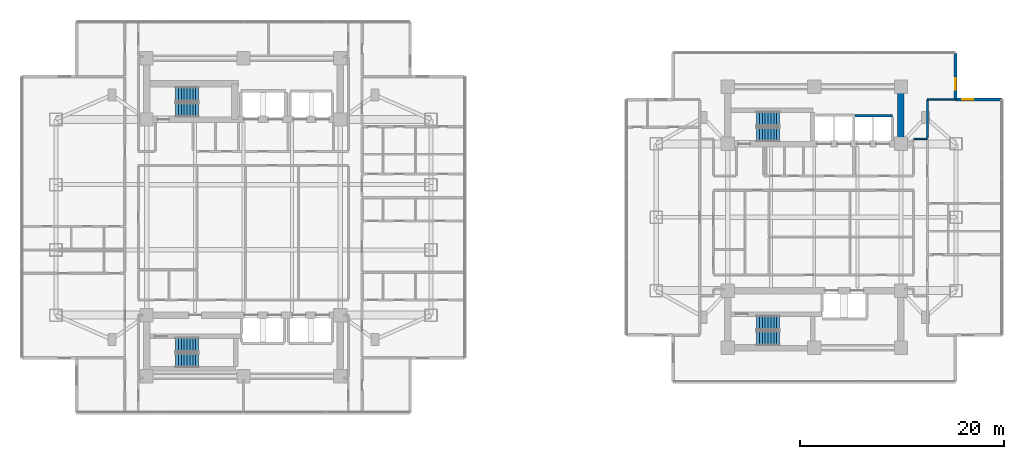
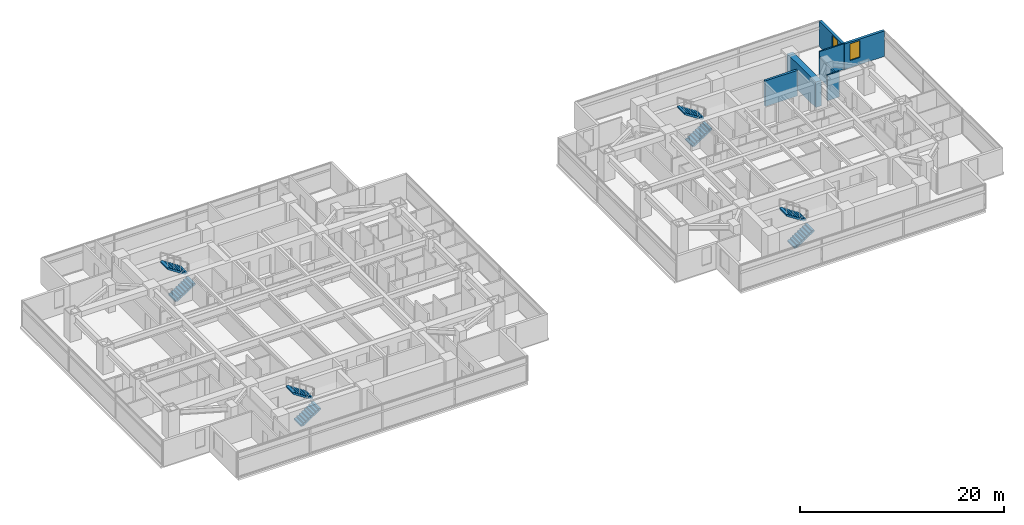
# One storey, part 19 of 24: 8 stair flights, 7 walls, 2 windows, 2 openings, 4 elements without a shape of their own.
"""IFC4 building model written with IfcOpenShell, lengths in metres."""

import ifcopenshell
import ifcopenshell.guid

model = None  # the IFC model being written
_history = None  # IfcOwnerHistory: only IFC2X3 demands one
_inside = {}  # id of a spatial element -> (the spatial element, [elements in it])
_under = {}  # id of a project, library or spatial element -> (it, [spatial elements below it])
_declared = {}  # id of a project -> (the project, [libraries it declares])
_typed = {}  # id of a type object -> (the type object, [elements of that type])
_made_of = {}  # id of a material, layer set ... -> (it, [elements and type objects made of it])


def new_model(schema):
    """Start an empty IFC model of exactly this schema.

    Asked for "IFC4X3", IfcOpenShell would pick the latest addendum, in which some entities
    have other attributes; the version numbers below select the first issue.
    IFC2X3 requires an IfcOwnerHistory on every rooted entity: one is made here for all.
    """
    global model, _history
    if schema == "IFC4X3":
        model = ifcopenshell.file(schema_version=(4, 3, 0, 0))
    else:
        model = ifcopenshell.file(schema=schema)
    _inside.clear()
    _under.clear()
    _declared.clear()
    _typed.clear()
    _made_of.clear()
    _history = None
    if model.schema == "IFC2X3":
        org = make("IfcOrganization", Name="unknown")
        user = make(
            "IfcPersonAndOrganization",
            ThePerson=make("IfcPerson", FamilyName="unknown"),
            TheOrganization=org,
        )
        app = make(
            "IfcApplication",
            ApplicationDeveloper=org,
            Version="unknown",
            ApplicationFullName="unknown",
            ApplicationIdentifier="unknown",
        )
        _history = make(
            "IfcOwnerHistory",
            OwningUser=user,
            OwningApplication=app,
            ChangeAction="ADDED",
            CreationDate=0,
        )
    return model


def make(cls, **values):
    """One entity of the class cls with the attributes given. An attribute that is None is left unset."""
    return model.create_entity(
        cls, **{name: value for name, value in values.items() if value is not None}
    )


def rooted(cls, **values):
    """An entity with a GlobalId (a new one), such as an element, a storey or a relation."""
    return make(cls, GlobalId=ifcopenshell.guid.new(), OwnerHistory=_history, **values)


def si_unit(unit_type, name, prefix=None):
    """IfcSIUnit, for example si_unit("LENGTHUNIT", "METRE", prefix="MILLI")."""
    return make("IfcSIUnit", UnitType=unit_type, Prefix=prefix, Name=name)


def assignment(units):
    """IfcUnitAssignment: the units of a project."""
    return None if units is None else make("IfcUnitAssignment", Units=units)


def point(xyz):
    """IfcCartesianPoint."""
    return None if xyz is None else make("IfcCartesianPoint", Coordinates=xyz)


def direction(xyz):
    """IfcDirection."""
    return None if xyz is None else make("IfcDirection", DirectionRatios=xyz)


def frame(location, z_axis=None, x_axis=None):
    """IfcAxis2Placement3D, a coordinate frame: its origin and axes. An axis left out is left unset."""
    return make(
        "IfcAxis2Placement3D",
        Location=point(location),
        Axis=direction(z_axis),
        RefDirection=direction(x_axis),
    )


def frame_2d(location, x_axis=None):
    """IfcAxis2Placement2D, a coordinate frame in the plane: its origin and x axis."""
    return make(
        "IfcAxis2Placement2D", Location=point(location), RefDirection=direction(x_axis)
    )


def origin():
    """The frame at (0, 0, 0) with its axes left unset."""
    return frame((0.0, 0.0, 0.0))


def place(relative_to, where):
    """IfcLocalPlacement: puts the frame where relative to a parent placement (None: the world)."""
    return make(
        "IfcLocalPlacement", PlacementRelTo=relative_to, RelativePlacement=where
    )


def context(
    kind, dimensions, precision=None, world=None, true_north=None, identifier=None
):
    """IfcGeometricRepresentationContext, for example the 3D "Model" context."""
    return make(
        "IfcGeometricRepresentationContext",
        ContextIdentifier=identifier,
        ContextType=kind,
        CoordinateSpaceDimension=dimensions,
        Precision=precision,
        WorldCoordinateSystem=world,
        TrueNorth=true_north,
    )


def subcontext(parent, identifier, kind, view, scale=None):
    """IfcGeometricRepresentationSubContext, for example "Body" below "Model"."""
    return make(
        "IfcGeometricRepresentationSubContext",
        ContextIdentifier=identifier,
        ContextType=kind,
        ParentContext=parent,
        TargetScale=scale,
        TargetView=view,
    )


def project(units=None, contexts=None):
    """IfcProject with its units and contexts."""
    return rooted(
        "IfcProject",
        Name="project",
        RepresentationContexts=contexts,
        UnitsInContext=assignment(units),
    )


def spatial(cls, under=None, at=None, **own):
    """A site, building, storey or space (cls), placed at a placement, below another one or the project."""
    s = rooted(cls, ObjectPlacement=at, **own)
    if under is not None:
        _under.setdefault(under.id(), (under, []))[1].append(s)
    return s


def polyline(points):
    """IfcPolyline through the points."""
    return make("IfcPolyline", Points=[point(p) for p in points])


def profile(cls, at=None, kind="AREA", **sizes):
    """A parametric profile (cls). Its sizes go by their IFC names, for example OverallWidth=200.0."""
    return make(cls, ProfileType=kind, Position=at, **sizes)


def rectangle(**sizes):
    """IfcRectangleProfileDef."""
    return profile("IfcRectangleProfileDef", **sizes)


def outline(outer, holes=None, kind="AREA"):
    """IfcArbitraryClosedProfileDef: a profile drawn as a closed curve; with holes, ...WithVoids."""
    if holes is None:
        return make("IfcArbitraryClosedProfileDef", ProfileType=kind, OuterCurve=outer)
    return make(
        "IfcArbitraryProfileDefWithVoids",
        ProfileType=kind,
        OuterCurve=outer,
        InnerCurves=holes,
    )


def extrude(swept, where, along, depth):
    """IfcExtrudedAreaSolid: the profile swept, set in the frame where, extruded along a direction by depth."""
    return make(
        "IfcExtrudedAreaSolid",
        SweptArea=swept,
        Position=where,
        ExtrudedDirection=direction(along),
        Depth=depth,
    )


def shape(context_of_items, identifier, shape_type, items):
    """IfcShapeRepresentation: the items that make up one representation, for example the "Body"."""
    return make(
        "IfcShapeRepresentation",
        ContextOfItems=context_of_items,
        RepresentationIdentifier=identifier,
        RepresentationType=shape_type,
        Items=items,
    )


def material(Name=None, Category=None):
    """IfcMaterial."""
    return make("IfcMaterial", Name=Name, Category=Category)


def layer(
    of_material, thickness, ventilated=None, Name=None, Category=None, Priority=None
):
    """IfcMaterialLayer: one layer of a wall or slab, of a material (None: an air gap)."""
    return make(
        "IfcMaterialLayer",
        Material=of_material,
        LayerThickness=thickness,
        IsVentilated=ventilated,
        Name=Name,
        Category=Category,
        Priority=Priority,
    )


def layer_set(layers, Name=None):
    """IfcMaterialLayerSet."""
    return make("IfcMaterialLayerSet", MaterialLayers=layers, LayerSetName=Name)


def made_of(thing, what):
    """Note that an element or type object is made of a material, layer set ...; save() writes the relation."""
    if what is not None:
        _made_of.setdefault(what.id(), (what, []))[1].append(thing)
    return thing


def type_object(cls, material=None, **own):
    """A type object (cls), such as IfcWallType, which elements share."""
    return made_of(rooted(cls, **own), material)


def element(
    cls,
    number,
    at=None,
    inside=None,
    cuts=None,
    type_object=None,
    material=None,
    context=None,
    identifier="Body",
    shape_type=None,
    held_by="IfcProductDefinitionShape",
    body=None,
    shapes=None,
    **own,
):
    """One element of the class cls, such as IfcWall. Its Tag is "e" and its number.

    at: its placement. inside: the storey or other place that contains it. cuts: it is an
    opening in that element (IfcRelVoidsElement). A single representation is given by context,
    identifier, shape_type and body (its items); several are given by shapes. held_by: the class
    of the entity that holds the representations. save() writes the other relations.
    """
    e = rooted(cls, Tag="e%d" % number, ObjectPlacement=at, **own)
    if body is not None:
        shapes = [shape(context, identifier, shape_type, body)]
    if shapes is not None:
        e.Representation = make(held_by, Representations=shapes)
    if inside is not None:
        _inside.setdefault(inside.id(), (inside, []))[1].append(e)
    if cuts is not None:
        rooted(
            "IfcRelVoidsElement", RelatingBuildingElement=cuts, RelatedOpeningElement=e
        )
    if type_object is not None:
        _typed.setdefault(type_object.id(), (type_object, []))[1].append(e)
    return made_of(e, material)


def fill(opening, filler):
    """IfcRelFillsElement: the door or window that sits in an opening."""
    return rooted(
        "IfcRelFillsElement",
        RelatingOpeningElement=opening,
        RelatedBuildingElement=filler,
    )


def aggregate(whole, parts):
    """IfcRelAggregates: a whole, such as a stair, and the parts it consists of."""
    return rooted("IfcRelAggregates", RelatingObject=whole, RelatedObjects=parts)


def save(model, path):
    """Write the relations noted so far, then the file.

    IfcRelAggregates (storeys below a building ...), IfcRelContainedInSpatialStructure (elements
    in a storey), IfcRelDefinesByType, IfcRelAssociatesMaterial and IfcRelDeclares: one each for
    every whole, place, type object, material and project.
    """
    for whole, parts in _under.values():
        aggregate(whole, parts)
    for where, things in _inside.values():
        rooted(
            "IfcRelContainedInSpatialStructure",
            RelatedElements=things,
            RelatingStructure=where,
        )
    for kind, things in _typed.values():
        rooted("IfcRelDefinesByType", RelatedObjects=things, RelatingType=kind)
    for what, things in _made_of.values():
        rooted("IfcRelAssociatesMaterial", RelatedObjects=things, RelatingMaterial=what)
    for by, libraries in _declared.values():
        rooted("IfcRelDeclares", RelatingContext=by, RelatedDefinitions=libraries)
    model.write(path)


model = new_model("IFC4")

# Units and contexts
model_context = context("Model", 3, precision=1e-05, world=origin(), true_north=direction((0.0, 1.0)))
body_context = subcontext(model_context, "Body", "Model", "MODEL_VIEW")
ifc_project = project(units=[si_unit("LENGTHUNIT", "METRE"), si_unit("AREAUNIT", "SQUARE_METRE"), si_unit("VOLUMEUNIT", "CUBIC_METRE"), si_unit("PLANEANGLEUNIT", "RADIAN"), si_unit("MASSUNIT", "GRAM", prefix="KILO")], contexts=[model_context])

# Site, building, storey
site_placement = place(None, origin())
site = spatial("IfcSite", under=ifc_project, at=site_placement, CompositionType="ELEMENT")
building_placement = place(site_placement, origin())
building = spatial("IfcBuilding", under=site, at=building_placement, Name="Mirazonda Arch Towers", CompositionType="ELEMENT")
storey_placement = place(building_placement, frame((0.0, 0.0, 65.300048828125)))
storey = spatial("IfcBuildingStorey", under=building, at=storey_placement, Name="L18", CompositionType="ELEMENT", Elevation=65.300048828125)

# Wall
ifc_material_1 = material(Name="Concrete C60/75", Category="concrete")
ifc_layer_1 = layer(ifc_material_1, 0.64990234375, Name="WALL-CORE-650")
ifc_layer_set_1 = layer_set([ifc_layer_1], Name="Concrete C60/75")
wall_type_1 = type_object("IfcWallType", Name="WALL-CORE-650", PredefinedType="SHEAR", material=ifc_layer_set_1)
wall_1_placement = place(storey_placement, frame((85.0, 35.199951171875, 0.0), z_axis=(0.0, 0.0, 1.0), x_axis=(0.0, 1.0, 0.0)))
element("IfcWall", 1, at=wall_1_placement, inside=storey, type_object=wall_type_1, Name="L18 T2N-E Core Shear Wall", PredefinedType="SHEAR", context=body_context, shape_type="SweptSolid", body=[
    extrude(rectangle(XDim=5.60009765625, YDim=0.64990234375, at=frame_2d((2.800048828125, 0.0))), origin(), (0.0, 0.0, 1.0), 3.06005859375),
])

# Wall, opening, window
ifc_material_2 = material(Name="Precast Concrete C40/50", Category="concrete")
ifc_layer_2 = layer(ifc_material_2, 0.280029296875, Name="WALL-EXT-WALL-280")
ifc_layer_set_2 = layer_set([ifc_layer_2], Name="Precast Concrete C40/50")
wall_type_2 = type_object("IfcWallType", Name="WALL-EXT-WALL-280", PredefinedType="SOLIDWALL", material=ifc_layer_set_2)
wall_2_placement = place(storey_placement, frame((90.345947265625, 39.563232421875, 0.0), z_axis=(0.0, 0.0, 1.0), x_axis=(0.0, 1.0, 0.0)))
wall_2 = element("IfcWall", 2, at=wall_2_placement, inside=storey, type_object=wall_type_2, Name="L18 T2 Notched NE Corner Wall WL-L18-T2-CNE", PredefinedType="SOLIDWALL", context=body_context, shape_type="SweptSolid", body=[
    extrude(rectangle(XDim=4.5458984375, YDim=0.280029296875, at=frame_2d((2.27294921875, 0.0))), origin(), (0.0, 0.0, 1.0), 3.0400390625),
])
opening_1_placement = place(wall_2_placement, frame((0.949951171875, 0.0, 0.85009765625)))
opening_1 = element("IfcOpeningElement", 3, at=opening_1_placement, cuts=wall_2, Name="Opening WN-108", PredefinedType="OPENING", context=body_context, shape_type="SweptSolid", body=[
    extrude(rectangle(XDim=1.10009765625, YDim=2.0, at=frame_2d((0.550048828125, 1.0))), frame((0.0, 0.14990234375, 0.0), z_axis=(0.0, -1.0, 0.0), x_axis=(1.0, 0.0, 0.0)), (0.0, 0.0, 1.0), 0.300048828125),
])
ifc_material_3 = material(Name="Insulated Low-E Solar Glass", Category="glass")
window_type = type_object("IfcWindowType", Name="WIN-NOTCH-1100x2000", PartitioningType="SINGLE_PANEL", PredefinedType="WINDOW", material=ifc_material_3)
window_1_placement = place(opening_1_placement, origin())
window_1 = element("IfcWindow", 4, at=window_1_placement, inside=storey, type_object=window_type, Name="L18 Punched Facade Window WN-L18-T2-CNE", OverallHeight=2.0, OverallWidth=1.10009765625, PartitioningType="SINGLE_PANEL", PredefinedType="WINDOW", context=body_context, shape_type="SweptSolid", body=[
    extrude(rectangle(XDim=1.10009765625, YDim=2.0, at=frame_2d((0.550048828125, 1.0))), frame((0.0, 0.030029296875, 0.0), z_axis=(0.0, -1.0, 0.0), x_axis=(1.0, 0.0, 0.0)), (0.0, 0.0, 1.0), 0.06005859375),
])
fill(opening_1, window_1)

wall_3_placement = place(storey_placement, frame((94.89208984375, 39.563232421875, 0.0), z_axis=(0.0, 0.0, 1.0), x_axis=(-1.0, 0.0, 0.0)))
wall_3 = element("IfcWall", 5, at=wall_3_placement, inside=storey, type_object=wall_type_2, Name="L18 T2 Corner Notch Return Wall WL-L18-T2-CNE2", PredefinedType="SOLIDWALL", context=body_context, shape_type="SweptSolid", body=[
    extrude(rectangle(XDim=4.546142578125, YDim=0.280029296875, at=frame_2d((2.27294921875, 0.0))), origin(), (0.0, 0.0, 1.0), 3.0400390625),
])
opening_2_placement = place(wall_3_placement, frame((2.7958984375, 0.0, 0.85009765625)))
opening_2 = element("IfcOpeningElement", 6, at=opening_2_placement, cuts=wall_3, Name="Opening WN-108", PredefinedType="OPENING", context=body_context, shape_type="SweptSolid", body=[
    extrude(rectangle(XDim=1.10009765625, YDim=2.0, at=frame_2d((0.550048828125, 1.0))), frame((0.0, 0.14990234375, 0.0), z_axis=(0.0, -1.0, 0.0), x_axis=(1.0, 0.0, 0.0)), (0.0, 0.0, 1.0), 0.300048828125),
])
window_2_placement = place(opening_2_placement, origin())
window_2 = element("IfcWindow", 7, at=window_2_placement, inside=storey, type_object=window_type, Name="L18 Punched Facade Window WN-L18-T2-CNE2", OverallHeight=2.0, OverallWidth=1.10009765625, PartitioningType="SINGLE_PANEL", PredefinedType="WINDOW", context=body_context, shape_type="SweptSolid", body=[
    extrude(rectangle(XDim=1.10009765625, YDim=2.0, at=frame_2d((0.550048828125, 1.0))), frame((0.0, 0.030029296875, 0.0), z_axis=(0.0, -1.0, 0.0), x_axis=(1.0, 0.0, 0.0)), (0.0, 0.0, 1.0), 0.06005859375),
])
fill(opening_2, window_2)

# Walls
ifc_material_4 = material(Name="Fire-Rated Gypsum Stud Partition")
ifc_layer_3 = layer(ifc_material_4, 0.14990234375, Name="WALL-PART-CORR-150")
ifc_layer_set_3 = layer_set([ifc_layer_3], Name="Fire-Rated Gypsum Stud Partition")
wall_type_3 = type_object("IfcWallType", Name="WALL-PART-CORR-150", PredefinedType="PARTITIONING", material=ifc_layer_set_3)
wall_4_placement = place(storey_placement, frame((86.25, 35.699951171875, 0.0), z_axis=(0.0, 0.0, 1.0), x_axis=(1.0, 0.0, 0.0)))
element("IfcWall", 8, at=wall_4_placement, inside=storey, type_object=wall_type_3, Name="L18 Interior Partition 044", PredefinedType="PARTITIONING", context=body_context, shape_type="SweptSolid", body=[
    extrude(rectangle(XDim=1.35009765625, YDim=0.14990234375, at=frame_2d((0.675048828125, 0.0))), origin(), (0.0, 0.0, 1.0), 3.06005859375),
])
wall_5_placement = place(storey_placement, frame((87.60009765625, 39.56298828125, 0.0), z_axis=(0.0, 0.0, 1.0), x_axis=(1.0, 0.0, 0.0)))
element("IfcWall", 9, at=wall_5_placement, inside=storey, type_object=wall_type_3, Name="L18 Interior Partition 051", PredefinedType="PARTITIONING", context=body_context, shape_type="SweptSolid", body=[
    extrude(rectangle(XDim=2.725830078125, YDim=0.14990234375, at=frame_2d((1.36279296875, 0.0))), origin(), (0.0, 0.0, 1.0), 3.06005859375),
])
ifc_material_5 = material(Name="Fire-Rated Gypsum Twin-Stud Assembly")
ifc_layer_4 = layer(ifc_material_5, 0.179931640625, Name="WALL-PART-DEMISE-180")
ifc_layer_set_4 = layer_set([ifc_layer_4], Name="Fire-Rated Gypsum Twin-Stud Assembly")
wall_type_4 = type_object("IfcWallType", Name="WALL-PART-DEMISE-180", PredefinedType="PARTITIONING", material=ifc_layer_set_4)
wall_6_placement = place(storey_placement, frame((87.60009765625, 35.784912109375, 0.0), z_axis=(0.0, 0.0, 1.0), x_axis=(0.0, 1.0, 0.0)))
element("IfcWall", 10, at=wall_6_placement, inside=storey, type_object=wall_type_4, Name="L18 Interior Partition 156", PredefinedType="PARTITIONING", context=body_context, shape_type="SweptSolid", body=[
    extrude(rectangle(XDim=3.693115234375, YDim=0.179931640625, at=frame_2d((1.8466796875, 0.0))), origin(), (0.0, 0.0, 1.0), 2.43603515625),
])
ifc_material_6 = material(Name="Concrete C40/50", Category="concrete")
ifc_layer_5 = layer(ifc_material_6, 0.25, Name="WALL-SHAFT-250")
ifc_layer_set_5 = layer_set([ifc_layer_5], Name="Concrete C40/50")
wall_type_5 = type_object("IfcWallType", Name="WALL-SHAFT-250", PredefinedType="SOLIDWALL", material=ifc_layer_set_5)
wall_7_placement = place(storey_placement, frame((80.5, 37.949951171875, 0.0), z_axis=(0.0, 0.0, 1.0), x_axis=(1.0, 0.0, 0.0)))
element("IfcWall", 11, at=wall_7_placement, inside=storey, type_object=wall_type_5, Name="L18 Interior Partition 047", PredefinedType="SOLIDWALL", context=body_context, shape_type="SweptSolid", body=[
    extrude(rectangle(XDim=3.64990234375, YDim=0.25, at=frame_2d((1.824951171875, 0.0))), origin(), (0.0, 0.0, 1.0), 3.06005859375),
])

# Stair, stair flights
stair_type = type_object("IfcStairType", Name="STAIR-CORE-1400", PredefinedType="HALF_TURN_STAIR", material=ifc_material_6)
stair_1_placement = place(storey_placement, origin())
stair_1 = element("IfcStair", 12, at=stair_1_placement, inside=storey, type_object=stair_type, Name="L18 Protected Exit Stair ST-T1N", PredefinedType="HALF_TURN_STAIR")
stair_flight_type = type_object("IfcStairFlightType", Name="FLIGHT-1400", PredefinedType="STRAIGHT", material=ifc_material_6)
stair_flight_1_placement = place(storey_placement, frame((13.85009765625, 38.52001953125, 0.0), z_axis=(0.0, 0.0, 1.0), x_axis=(1.0, 0.0, 0.0)))
stair_flight_1 = element("IfcStairFlight", 13, at=stair_flight_1_placement, type_object=stair_flight_type, Name="ST-T1N flight 1", NumberOfRisers=9, NumberOfTreads=8, PredefinedType="STRAIGHT", RiserHeight=0.183333333, TreadLength=0.28, context=body_context, shape_type="SweptSolid", body=[
    extrude(outline(polyline([(0.0, 0.0), (0.0, 0.183349609375), (0.280029296875, 0.183349609375), (0.280029296875, 0.36669921875), (0.56005859375, 0.36669921875), (0.56005859375, 0.550048828125), (0.840087890625, 0.550048828125), (0.840087890625, 0.7333984375), (1.1201171875, 0.7333984375), (1.1201171875, 0.916748046875), (1.39990234375, 0.916748046875), (1.39990234375, 1.10009765625), (1.679931640625, 1.10009765625), (1.679931640625, 1.283447265625), (1.9599609375, 1.283447265625), (1.9599609375, 1.466552734375), (2.239990234375, 1.466552734375), (2.239990234375, 1.64990234375), (2.239990234375, 1.275634765625), (0.2919921875, 0.0), (0.0, 0.0)])), frame((0.0, 0.699951171875, 0.0), z_axis=(0.0, -1.0, 0.0), x_axis=(1.0, 0.0, 0.0)), (0.0, 0.0, 1.0), 1.39990234375),
])
stair_flight_2_placement = place(storey_placement, frame((16.090087890625, 40.06005859375, 1.64990234375), z_axis=(0.0, 0.0, 1.0), x_axis=(-1.0, 0.0, 0.0)))
stair_flight_2 = element("IfcStairFlight", 14, at=stair_flight_2_placement, type_object=stair_flight_type, Name="ST-T1N flight 2", NumberOfRisers=9, NumberOfTreads=8, PredefinedType="STRAIGHT", RiserHeight=0.183333333, TreadLength=0.28, context=body_context, shape_type="SweptSolid", body=[
    extrude(outline(polyline([(0.0, 0.0), (0.0, 0.183349609375), (0.280029296875, 0.183349609375), (0.280029296875, 0.36669921875), (0.56005859375, 0.36669921875), (0.56005859375, 0.550048828125), (0.840087890625, 0.550048828125), (0.840087890625, 0.7333984375), (1.1201171875, 0.7333984375), (1.1201171875, 0.916748046875), (1.39990234375, 0.916748046875), (1.39990234375, 1.10009765625), (1.679931640625, 1.10009765625), (1.679931640625, 1.283447265625), (1.9599609375, 1.283447265625), (1.9599609375, 1.466552734375), (2.239990234375, 1.466552734375), (2.239990234375, 1.64990234375), (2.239990234375, 1.275634765625), (0.2919921875, 0.0), (0.0, 0.0)])), frame((0.0, 0.699951171875, 0.0), z_axis=(0.0, -1.0, 0.0), x_axis=(1.0, 0.0, 0.0)), (0.0, 0.0, 1.0), 1.39990234375),
])
aggregate(stair_1, [stair_flight_1, stair_flight_2])

stair_2_placement = place(storey_placement, origin())
stair_2 = element("IfcStair", 15, at=stair_2_placement, inside=storey, type_object=stair_type, Name="L18 Protected Exit Stair ST-T1S", PredefinedType="HALF_TURN_STAIR")
stair_flight_3_placement = place(storey_placement, frame((13.85009765625, 13.949951171875, 0.0), z_axis=(0.0, 0.0, 1.0), x_axis=(1.0, 0.0, 0.0)))
stair_flight_3 = element("IfcStairFlight", 16, at=stair_flight_3_placement, type_object=stair_flight_type, Name="ST-T1S flight 1", NumberOfRisers=9, NumberOfTreads=8, PredefinedType="STRAIGHT", RiserHeight=0.183333333, TreadLength=0.28, context=body_context, shape_type="SweptSolid", body=[
    extrude(outline(polyline([(0.0, 0.0), (0.0, 0.183349609375), (0.280029296875, 0.183349609375), (0.280029296875, 0.36669921875), (0.56005859375, 0.36669921875), (0.56005859375, 0.550048828125), (0.840087890625, 0.550048828125), (0.840087890625, 0.7333984375), (1.1201171875, 0.7333984375), (1.1201171875, 0.916748046875), (1.39990234375, 0.916748046875), (1.39990234375, 1.10009765625), (1.679931640625, 1.10009765625), (1.679931640625, 1.283447265625), (1.9599609375, 1.283447265625), (1.9599609375, 1.466552734375), (2.239990234375, 1.466552734375), (2.239990234375, 1.64990234375), (2.239990234375, 1.275634765625), (0.2919921875, 0.0), (0.0, 0.0)])), frame((0.0, 0.699951171875, 0.0), z_axis=(0.0, -1.0, 0.0), x_axis=(1.0, 0.0, 0.0)), (0.0, 0.0, 1.0), 1.39990234375),
])
stair_flight_4_placement = place(storey_placement, frame((16.090087890625, 15.489990234375, 1.64990234375), z_axis=(0.0, 0.0, 1.0), x_axis=(-1.0, 0.0, 0.0)))
stair_flight_4 = element("IfcStairFlight", 17, at=stair_flight_4_placement, type_object=stair_flight_type, Name="ST-T1S flight 2", NumberOfRisers=9, NumberOfTreads=8, PredefinedType="STRAIGHT", RiserHeight=0.183333333, TreadLength=0.28, context=body_context, shape_type="SweptSolid", body=[
    extrude(outline(polyline([(0.0, 0.0), (0.0, 0.183349609375), (0.280029296875, 0.183349609375), (0.280029296875, 0.36669921875), (0.56005859375, 0.36669921875), (0.56005859375, 0.550048828125), (0.840087890625, 0.550048828125), (0.840087890625, 0.7333984375), (1.1201171875, 0.7333984375), (1.1201171875, 0.916748046875), (1.39990234375, 0.916748046875), (1.39990234375, 1.10009765625), (1.679931640625, 1.10009765625), (1.679931640625, 1.283447265625), (1.9599609375, 1.283447265625), (1.9599609375, 1.466552734375), (2.239990234375, 1.466552734375), (2.239990234375, 1.64990234375), (2.239990234375, 1.275634765625), (0.2919921875, 0.0), (0.0, 0.0)])), frame((0.0, 0.699951171875, 0.0), z_axis=(0.0, -1.0, 0.0), x_axis=(1.0, 0.0, 0.0)), (0.0, 0.0, 1.0), 1.39990234375),
])
aggregate(stair_2, [stair_flight_3, stair_flight_4])

stair_3_placement = place(storey_placement, origin())
stair_3 = element("IfcStair", 18, at=stair_3_placement, inside=storey, type_object=stair_type, Name="L18 Protected Exit Stair ST-T2N", PredefinedType="HALF_TURN_STAIR")
stair_flight_5_placement = place(storey_placement, frame((70.85009765625, 36.1201171875, 0.0), z_axis=(0.0, 0.0, 1.0), x_axis=(1.0, 0.0, 0.0)))
stair_flight_5 = element("IfcStairFlight", 19, at=stair_flight_5_placement, type_object=stair_flight_type, Name="ST-T2N flight 1", NumberOfRisers=9, NumberOfTreads=8, PredefinedType="STRAIGHT", RiserHeight=0.183333333, TreadLength=0.28, context=body_context, shape_type="SweptSolid", body=[
    extrude(outline(polyline([(0.0, 0.0), (0.0, 0.183349609375), (0.280029296875, 0.183349609375), (0.280029296875, 0.36669921875), (0.56005859375, 0.36669921875), (0.56005859375, 0.550048828125), (0.840087890625, 0.550048828125), (0.840087890625, 0.7333984375), (1.1201171875, 0.7333984375), (1.1201171875, 0.916748046875), (1.39990234375, 0.916748046875), (1.39990234375, 1.10009765625), (1.679931640625, 1.10009765625), (1.679931640625, 1.283447265625), (1.9599609375, 1.283447265625), (1.9599609375, 1.466552734375), (2.239990234375, 1.466552734375), (2.239990234375, 1.64990234375), (2.239990234375, 1.275634765625), (0.2919921875, 0.0), (0.0, 0.0)])), frame((0.0, 0.699951171875, 0.0), z_axis=(0.0, -1.0, 0.0), x_axis=(1.0, 0.0, 0.0)), (0.0, 0.0, 1.0), 1.39990234375),
])
stair_flight_6_placement = place(storey_placement, frame((73.090087890625, 37.659912109375, 1.64990234375), z_axis=(0.0, 0.0, 1.0), x_axis=(-1.0, 0.0, 0.0)))
stair_flight_6 = element("IfcStairFlight", 20, at=stair_flight_6_placement, type_object=stair_flight_type, Name="ST-T2N flight 2", NumberOfRisers=9, NumberOfTreads=8, PredefinedType="STRAIGHT", RiserHeight=0.183333333, TreadLength=0.28, context=body_context, shape_type="SweptSolid", body=[
    extrude(outline(polyline([(0.0, 0.0), (0.0, 0.183349609375), (0.280029296875, 0.183349609375), (0.280029296875, 0.36669921875), (0.56005859375, 0.36669921875), (0.56005859375, 0.550048828125), (0.840087890625, 0.550048828125), (0.840087890625, 0.7333984375), (1.1201171875, 0.7333984375), (1.1201171875, 0.916748046875), (1.39990234375, 0.916748046875), (1.39990234375, 1.10009765625), (1.679931640625, 1.10009765625), (1.679931640625, 1.283447265625), (1.9599609375, 1.283447265625), (1.9599609375, 1.466552734375), (2.239990234375, 1.466552734375), (2.239990234375, 1.64990234375), (2.239990234375, 1.275634765625), (0.2919921875, 0.0), (0.0, 0.0)])), frame((0.0, 0.699951171875, 0.0), z_axis=(0.0, -1.0, 0.0), x_axis=(1.0, 0.0, 0.0)), (0.0, 0.0, 1.0), 1.39990234375),
])
aggregate(stair_3, [stair_flight_5, stair_flight_6])

stair_4_placement = place(storey_placement, origin())
stair_4 = element("IfcStair", 21, at=stair_4_placement, inside=storey, type_object=stair_type, Name="L18 Protected Exit Stair ST-T2S", PredefinedType="HALF_TURN_STAIR")
stair_flight_7_placement = place(storey_placement, frame((70.85009765625, 16.1201171875, 0.0), z_axis=(0.0, 0.0, 1.0), x_axis=(1.0, 0.0, 0.0)))
stair_flight_7 = element("IfcStairFlight", 22, at=stair_flight_7_placement, type_object=stair_flight_type, Name="ST-T2S flight 1", NumberOfRisers=9, NumberOfTreads=8, PredefinedType="STRAIGHT", RiserHeight=0.183333333, TreadLength=0.28, context=body_context, shape_type="SweptSolid", body=[
    extrude(outline(polyline([(0.0, 0.0), (0.0, 0.183349609375), (0.280029296875, 0.183349609375), (0.280029296875, 0.36669921875), (0.56005859375, 0.36669921875), (0.56005859375, 0.550048828125), (0.840087890625, 0.550048828125), (0.840087890625, 0.7333984375), (1.1201171875, 0.7333984375), (1.1201171875, 0.916748046875), (1.39990234375, 0.916748046875), (1.39990234375, 1.10009765625), (1.679931640625, 1.10009765625), (1.679931640625, 1.283447265625), (1.9599609375, 1.283447265625), (1.9599609375, 1.466552734375), (2.239990234375, 1.466552734375), (2.239990234375, 1.64990234375), (2.239990234375, 1.275634765625), (0.2919921875, 0.0), (0.0, 0.0)])), frame((0.0, 0.699951171875, 0.0), z_axis=(0.0, -1.0, 0.0), x_axis=(1.0, 0.0, 0.0)), (0.0, 0.0, 1.0), 1.39990234375),
])
stair_flight_8_placement = place(storey_placement, frame((73.090087890625, 17.659912109375, 1.64990234375), z_axis=(0.0, 0.0, 1.0), x_axis=(-1.0, 0.0, 0.0)))
stair_flight_8 = element("IfcStairFlight", 23, at=stair_flight_8_placement, type_object=stair_flight_type, Name="ST-T2S flight 2", NumberOfRisers=9, NumberOfTreads=8, PredefinedType="STRAIGHT", RiserHeight=0.183333333, TreadLength=0.28, context=body_context, shape_type="SweptSolid", body=[
    extrude(outline(polyline([(0.0, 0.0), (0.0, 0.183349609375), (0.280029296875, 0.183349609375), (0.280029296875, 0.36669921875), (0.56005859375, 0.36669921875), (0.56005859375, 0.550048828125), (0.840087890625, 0.550048828125), (0.840087890625, 0.7333984375), (1.1201171875, 0.7333984375), (1.1201171875, 0.916748046875), (1.39990234375, 0.916748046875), (1.39990234375, 1.10009765625), (1.679931640625, 1.10009765625), (1.679931640625, 1.283447265625), (1.9599609375, 1.283447265625), (1.9599609375, 1.466552734375), (2.239990234375, 1.466552734375), (2.239990234375, 1.64990234375), (2.239990234375, 1.275634765625), (0.2919921875, 0.0), (0.0, 0.0)])), frame((0.0, 0.699951171875, 0.0), z_axis=(0.0, -1.0, 0.0), x_axis=(1.0, 0.0, 0.0)), (0.0, 0.0, 1.0), 1.39990234375),
])
aggregate(stair_4, [stair_flight_7, stair_flight_8])

save(model, "model.ifc")
